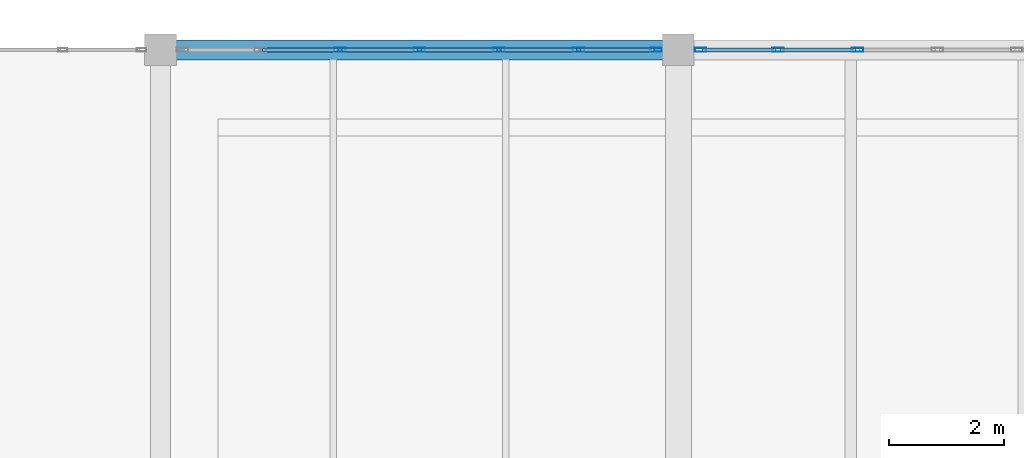
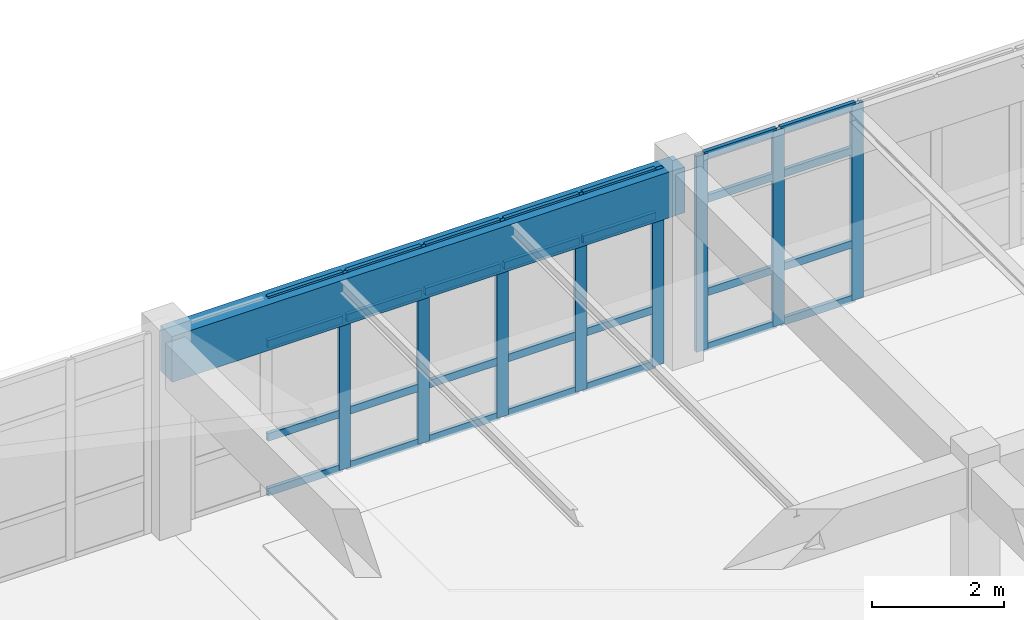
# One storey, part 103 of 156: 36 members, 1 beam, 2 elements without a shape of their own.
"""IFC4 building model written with IfcOpenShell, lengths in metres."""

from ifc_helpers import new_model, si_unit, direction, frame, origin, origin_2d, place, context, subcontext, project, spatial, rectangle, hollow_rectangle, extrude, material, layer, layer_set, material_profile, profile_set, type_object, element, aggregate, save


model = new_model("IFC4")

# Units and contexts
model_context = context("Model", 3, precision=1e-05, world=origin(), true_north=direction((0.0, 1.0)))
body_context = subcontext(model_context, "Body", "Model", "MODEL_VIEW")
ifc_project = project(units=[si_unit("LENGTHUNIT", "METRE"), si_unit("AREAUNIT", "SQUARE_METRE"), si_unit("VOLUMEUNIT", "CUBIC_METRE"), si_unit("PLANEANGLEUNIT", "RADIAN"), si_unit("MASSUNIT", "GRAM", prefix="KILO")], contexts=[model_context])

# Site, building, storey
site_placement = place(None, origin())
site = spatial("IfcSite", under=ifc_project, at=site_placement, CompositionType="ELEMENT")
building_placement = place(site_placement, origin())
building = spatial("IfcBuilding", under=site, at=building_placement, Name="Ornek Quay Market", CompositionType="ELEMENT")
storey_placement = place(building_placement, frame((0.0, 0.0, 4.5)))
storey = spatial("IfcBuildingStorey", under=building, at=storey_placement, Name="L01", CompositionType="ELEMENT", Elevation=4.5)

# Beam
ifc_material_1 = material(Name="Concrete C40/50", Category="concrete")
ifc_material_profile_1 = material_profile(ifc_material_1, rectangle(XDim=0.35009765625, YDim=0.85009765625, at=origin_2d()), Name="RC 350x850", Category="concrete")
ifc_profile_set_1 = profile_set([ifc_material_profile_1], Name="Concrete C40/50")
beam_type = type_object("IfcBeamType", Name="BM-SPN-350x850", PredefinedType="SPANDREL", material=ifc_profile_set_1)
beam_placement = place(storey_placement, frame((153.0, 110.0, 3.205078125), z_axis=(1.0, 0.0, 0.0), x_axis=(0.0, 1.0, 0.0)))
element("IfcBeam", 1, at=beam_placement, inside=storey, type_object=beam_type, Name="Primary beam B-SP1-104", PredefinedType="SPANDREL", context=body_context, shape_type="SweptSolid", body=[
    extrude(rectangle(XDim=0.35009765625, YDim=0.85009765625, at=origin_2d()), origin(), (0.0, 0.0, 1.0), 9.0),
])

# Curtain wall, members
ifc_material_2 = material(Name="Anodised bronze aluminium and triple low-e glass", Category="aluminium")
ifc_layer = layer(ifc_material_2, 0.18994140625, Name="Anodised bronze aluminium and triple low-e glass", Category="aluminium")
ifc_layer_set = layer_set([ifc_layer], Name="Anodised bronze aluminium and triple low-e glass")
curtain_wall_type = type_object("IfcCurtainWallType", Name="CW-FC-MOD1500", PredefinedType="USERDEFINED", material=ifc_layer_set)
curtain_wall_1_placement = place(storey_placement, origin())
curtain_wall_1 = element("IfcCurtainWall", 2, at=curtain_wall_1_placement, inside=storey, type_object=curtain_wall_type, Name="Curtain wall CW-083", ObjectType="CURTAIN WALL", PredefinedType="USERDEFINED")
ifc_material_3 = material(Name="Anodised aluminium 6063-T6", Category="aluminium")
ifc_material_profile_2 = material_profile(ifc_material_3, hollow_rectangle(XDim=0.070068359375, YDim=0.199951171875, WallThickness=0.0048828125, at=origin_2d()), Name="CW-MUL-70x200", Category="aluminium")
ifc_profile_set_2 = profile_set([ifc_material_profile_2], Name="Anodised aluminium 6063-T6")
member_type_1 = type_object("IfcMemberType", Name="CW-MUL-70x200", PredefinedType="MULLION", material=ifc_profile_set_2)
member_1_placement = place(storey_placement, frame((156.11669921875, 110.0, 0.0), z_axis=(0.0, 0.0, 1.0), x_axis=(0.0, 1.0, 0.0)))
member_1 = element("IfcMember", 3, at=member_1_placement, type_object=member_type_1, Name="CW-083 mullion 3", PredefinedType="MULLION", context=body_context, shape_type="SweptSolid", body=[
    extrude(hollow_rectangle(XDim=0.070068359375, YDim=0.199951171875, WallThickness=0.0048828125, at=origin_2d()), origin(), (0.0, 0.0, 1.0), 3.6298828125),
])
member_2_placement = place(storey_placement, frame((157.5, 110.0, 0.0), z_axis=(0.0, 0.0, 1.0), x_axis=(0.0, 1.0, 0.0)))
member_2 = element("IfcMember", 4, at=member_2_placement, type_object=member_type_1, Name="CW-083 mullion 4", PredefinedType="MULLION", context=body_context, shape_type="SweptSolid", body=[
    extrude(hollow_rectangle(XDim=0.070068359375, YDim=0.199951171875, WallThickness=0.0048828125, at=origin_2d()), origin(), (0.0, 0.0, 1.0), 3.6298828125),
])
member_3_placement = place(storey_placement, frame((158.88330078125, 110.0, 0.0), z_axis=(0.0, 0.0, 1.0), x_axis=(0.0, 1.0, 0.0)))
member_3 = element("IfcMember", 5, at=member_3_placement, type_object=member_type_1, Name="CW-083 mullion 5", PredefinedType="MULLION", context=body_context, shape_type="SweptSolid", body=[
    extrude(hollow_rectangle(XDim=0.070068359375, YDim=0.199951171875, WallThickness=0.0048828125, at=origin_2d()), origin(), (0.0, 0.0, 1.0), 3.6298828125),
])
member_4_placement = place(storey_placement, frame((160.2666015625, 110.0, 0.0), z_axis=(0.0, 0.0, 1.0), x_axis=(0.0, 1.0, 0.0)))
member_4 = element("IfcMember", 6, at=member_4_placement, type_object=member_type_1, Name="CW-083 mullion 6", PredefinedType="MULLION", context=body_context, shape_type="SweptSolid", body=[
    extrude(hollow_rectangle(XDim=0.070068359375, YDim=0.199951171875, WallThickness=0.0048828125, at=origin_2d()), origin(), (0.0, 0.0, 1.0), 3.6298828125),
])
member_5_placement = place(storey_placement, frame((161.614990234375, 110.0, 0.0), z_axis=(0.0, 0.0, 1.0), x_axis=(0.0, 1.0, 0.0)))
member_5 = element("IfcMember", 7, at=member_5_placement, type_object=member_type_1, Name="CW-083 mullion 7", PredefinedType="MULLION", context=body_context, shape_type="SweptSolid", body=[
    extrude(hollow_rectangle(XDim=0.070068359375, YDim=0.199951171875, WallThickness=0.0048828125, at=origin_2d()), origin(), (0.0, 0.0, 1.0), 3.6298828125),
])

curtain_wall_2_placement = place(storey_placement, origin())
curtain_wall_2 = element("IfcCurtainWall", 8, at=curtain_wall_2_placement, inside=storey, type_object=curtain_wall_type, Name="Curtain wall CW-084", ObjectType="CURTAIN WALL", PredefinedType="USERDEFINED")
member_6_placement = place(storey_placement, frame((162.385009765625, 110.0, 0.0), z_axis=(0.0, 0.0, 1.0), x_axis=(0.0, 1.0, 0.0)))
member_6 = element("IfcMember", 9, at=member_6_placement, type_object=member_type_1, Name="CW-084 mullion 1", PredefinedType="MULLION", context=body_context, shape_type="SweptSolid", body=[
    extrude(hollow_rectangle(XDim=0.070068359375, YDim=0.199951171875, WallThickness=0.0048828125, at=origin_2d()), origin(), (0.0, 0.0, 1.0), 3.6298828125),
])
member_7_placement = place(storey_placement, frame((163.7333984375, 110.0, 0.0), z_axis=(0.0, 0.0, 1.0), x_axis=(0.0, 1.0, 0.0)))
member_7 = element("IfcMember", 10, at=member_7_placement, type_object=member_type_1, Name="CW-084 mullion 2", PredefinedType="MULLION", context=body_context, shape_type="SweptSolid", body=[
    extrude(hollow_rectangle(XDim=0.070068359375, YDim=0.199951171875, WallThickness=0.0048828125, at=origin_2d()), origin(), (0.0, 0.0, 1.0), 3.6298828125),
])
member_8_placement = place(storey_placement, frame((165.11669921875, 110.0, 0.0), z_axis=(0.0, 0.0, 1.0), x_axis=(0.0, 1.0, 0.0)))
member_8 = element("IfcMember", 11, at=member_8_placement, type_object=member_type_1, Name="CW-084 mullion 3", PredefinedType="MULLION", context=body_context, shape_type="SweptSolid", body=[
    extrude(hollow_rectangle(XDim=0.070068359375, YDim=0.199951171875, WallThickness=0.0048828125, at=origin_2d()), origin(), (0.0, 0.0, 1.0), 3.6298828125),
])

# Member
ifc_material_profile_3 = material_profile(ifc_material_3, hollow_rectangle(XDim=0.06494140625, YDim=0.139892578125, WallThickness=0.00439453125, at=origin_2d()), Name="CW-TRN-65x140", Category="aluminium")
ifc_profile_set_3 = profile_set([ifc_material_profile_3], Name="Anodised aluminium 6063-T6")
member_type_2 = type_object("IfcMemberType", Name="CW-TRN-65x140", PredefinedType="USERDEFINED", material=ifc_profile_set_3)
member_9_placement = place(storey_placement, frame((154.768310546875, 110.0, 0.032470703125), z_axis=(1.0, 0.0, 0.0), x_axis=(0.0, 1.0, 0.0)))
member_9 = element("IfcMember", 12, at=member_9_placement, type_object=member_type_2, Name="CW-083 transom 2.1", ObjectType="TRANSOM", PredefinedType="USERDEFINED", context=body_context, shape_type="SweptSolid", body=[
    extrude(hollow_rectangle(XDim=0.06494140625, YDim=0.139892578125, WallThickness=0.00439453125, at=origin_2d()), origin(), (0.0, 0.0, 1.0), 1.3134765625),
])

member_10_placement = place(storey_placement, frame((154.768310546875, 110.0, 1.050048828125), z_axis=(1.0, 0.0, 0.0), x_axis=(0.0, 1.0, 0.0)))
member_10 = element("IfcMember", 13, at=member_10_placement, type_object=member_type_2, Name="CW-083 transom 2.2", ObjectType="TRANSOM", PredefinedType="USERDEFINED", context=body_context, shape_type="SweptSolid", body=[
    extrude(hollow_rectangle(XDim=0.06494140625, YDim=0.139892578125, WallThickness=0.00439453125, at=origin_2d()), origin(), (0.0, 0.0, 1.0), 1.3134765625),
])

member_11_placement = place(storey_placement, frame((154.768310546875, 110.0, 2.780029296875), z_axis=(1.0, 0.0, 0.0), x_axis=(0.0, 1.0, 0.0)))
member_11 = element("IfcMember", 14, at=member_11_placement, type_object=member_type_2, Name="CW-083 transom 2.3", ObjectType="TRANSOM", PredefinedType="USERDEFINED", context=body_context, shape_type="SweptSolid", body=[
    extrude(hollow_rectangle(XDim=0.06494140625, YDim=0.139892578125, WallThickness=0.00439453125, at=origin_2d()), origin(), (0.0, 0.0, 1.0), 1.3134765625),
])

member_12_placement = place(storey_placement, frame((154.768310546875, 110.0, 3.597412109375), z_axis=(1.0, 0.0, 0.0), x_axis=(0.0, 1.0, 0.0)))
member_12 = element("IfcMember", 15, at=member_12_placement, type_object=member_type_2, Name="CW-083 transom 2.4", ObjectType="TRANSOM", PredefinedType="USERDEFINED", context=body_context, shape_type="SweptSolid", body=[
    extrude(hollow_rectangle(XDim=0.06494140625, YDim=0.139892578125, WallThickness=0.00439453125, at=origin_2d()), origin(), (0.0, 0.0, 1.0), 1.3134765625),
])

member_13_placement = place(storey_placement, frame((156.151611328125, 110.0, 0.032470703125), z_axis=(1.0, 0.0, 0.0), x_axis=(0.0, 1.0, 0.0)))
member_13 = element("IfcMember", 16, at=member_13_placement, type_object=member_type_2, Name="CW-083 transom 3.1", ObjectType="TRANSOM", PredefinedType="USERDEFINED", context=body_context, shape_type="SweptSolid", body=[
    extrude(hollow_rectangle(XDim=0.06494140625, YDim=0.139892578125, WallThickness=0.00439453125, at=origin_2d()), origin(), (0.0, 0.0, 1.0), 1.3134765625),
])

member_14_placement = place(storey_placement, frame((156.151611328125, 110.0, 1.050048828125), z_axis=(1.0, 0.0, 0.0), x_axis=(0.0, 1.0, 0.0)))
member_14 = element("IfcMember", 17, at=member_14_placement, type_object=member_type_2, Name="CW-083 transom 3.2", ObjectType="TRANSOM", PredefinedType="USERDEFINED", context=body_context, shape_type="SweptSolid", body=[
    extrude(hollow_rectangle(XDim=0.06494140625, YDim=0.139892578125, WallThickness=0.00439453125, at=origin_2d()), origin(), (0.0, 0.0, 1.0), 1.3134765625),
])

member_15_placement = place(storey_placement, frame((156.151611328125, 110.0, 2.780029296875), z_axis=(1.0, 0.0, 0.0), x_axis=(0.0, 1.0, 0.0)))
member_15 = element("IfcMember", 18, at=member_15_placement, type_object=member_type_2, Name="CW-083 transom 3.3", ObjectType="TRANSOM", PredefinedType="USERDEFINED", context=body_context, shape_type="SweptSolid", body=[
    extrude(hollow_rectangle(XDim=0.06494140625, YDim=0.139892578125, WallThickness=0.00439453125, at=origin_2d()), origin(), (0.0, 0.0, 1.0), 1.3134765625),
])

member_16_placement = place(storey_placement, frame((156.151611328125, 110.0, 3.597412109375), z_axis=(1.0, 0.0, 0.0), x_axis=(0.0, 1.0, 0.0)))
member_16 = element("IfcMember", 19, at=member_16_placement, type_object=member_type_2, Name="CW-083 transom 3.4", ObjectType="TRANSOM", PredefinedType="USERDEFINED", context=body_context, shape_type="SweptSolid", body=[
    extrude(hollow_rectangle(XDim=0.06494140625, YDim=0.139892578125, WallThickness=0.00439453125, at=origin_2d()), origin(), (0.0, 0.0, 1.0), 1.3134765625),
])

member_17_placement = place(storey_placement, frame((157.534912109375, 110.0, 0.032470703125), z_axis=(1.0, 0.0, 0.0), x_axis=(0.0, 1.0, 0.0)))
member_17 = element("IfcMember", 20, at=member_17_placement, type_object=member_type_2, Name="CW-083 transom 4.1", ObjectType="TRANSOM", PredefinedType="USERDEFINED", context=body_context, shape_type="SweptSolid", body=[
    extrude(hollow_rectangle(XDim=0.06494140625, YDim=0.139892578125, WallThickness=0.00439453125, at=origin_2d()), origin(), (0.0, 0.0, 1.0), 1.3134765625),
])

member_18_placement = place(storey_placement, frame((157.534912109375, 110.0, 1.050048828125), z_axis=(1.0, 0.0, 0.0), x_axis=(0.0, 1.0, 0.0)))
member_18 = element("IfcMember", 21, at=member_18_placement, type_object=member_type_2, Name="CW-083 transom 4.2", ObjectType="TRANSOM", PredefinedType="USERDEFINED", context=body_context, shape_type="SweptSolid", body=[
    extrude(hollow_rectangle(XDim=0.06494140625, YDim=0.139892578125, WallThickness=0.00439453125, at=origin_2d()), origin(), (0.0, 0.0, 1.0), 1.3134765625),
])

member_19_placement = place(storey_placement, frame((157.534912109375, 110.0, 2.780029296875), z_axis=(1.0, 0.0, 0.0), x_axis=(0.0, 1.0, 0.0)))
member_19 = element("IfcMember", 22, at=member_19_placement, type_object=member_type_2, Name="CW-083 transom 4.3", ObjectType="TRANSOM", PredefinedType="USERDEFINED", context=body_context, shape_type="SweptSolid", body=[
    extrude(hollow_rectangle(XDim=0.06494140625, YDim=0.139892578125, WallThickness=0.00439453125, at=origin_2d()), origin(), (0.0, 0.0, 1.0), 1.3134765625),
])

member_20_placement = place(storey_placement, frame((157.534912109375, 110.0, 3.597412109375), z_axis=(1.0, 0.0, 0.0), x_axis=(0.0, 1.0, 0.0)))
member_20 = element("IfcMember", 23, at=member_20_placement, type_object=member_type_2, Name="CW-083 transom 4.4", ObjectType="TRANSOM", PredefinedType="USERDEFINED", context=body_context, shape_type="SweptSolid", body=[
    extrude(hollow_rectangle(XDim=0.06494140625, YDim=0.139892578125, WallThickness=0.00439453125, at=origin_2d()), origin(), (0.0, 0.0, 1.0), 1.3134765625),
])

member_21_placement = place(storey_placement, frame((158.918212890625, 110.0, 0.032470703125), z_axis=(1.0, 0.0, 0.0), x_axis=(0.0, 1.0, 0.0)))
member_21 = element("IfcMember", 24, at=member_21_placement, type_object=member_type_2, Name="CW-083 transom 5.1", ObjectType="TRANSOM", PredefinedType="USERDEFINED", context=body_context, shape_type="SweptSolid", body=[
    extrude(hollow_rectangle(XDim=0.06494140625, YDim=0.139892578125, WallThickness=0.00439453125, at=origin_2d()), origin(), (0.0, 0.0, 1.0), 1.3134765625),
])

member_22_placement = place(storey_placement, frame((158.918212890625, 110.0, 1.050048828125), z_axis=(1.0, 0.0, 0.0), x_axis=(0.0, 1.0, 0.0)))
member_22 = element("IfcMember", 25, at=member_22_placement, type_object=member_type_2, Name="CW-083 transom 5.2", ObjectType="TRANSOM", PredefinedType="USERDEFINED", context=body_context, shape_type="SweptSolid", body=[
    extrude(hollow_rectangle(XDim=0.06494140625, YDim=0.139892578125, WallThickness=0.00439453125, at=origin_2d()), origin(), (0.0, 0.0, 1.0), 1.3134765625),
])

member_23_placement = place(storey_placement, frame((158.918212890625, 110.0, 2.780029296875), z_axis=(1.0, 0.0, 0.0), x_axis=(0.0, 1.0, 0.0)))
member_23 = element("IfcMember", 26, at=member_23_placement, type_object=member_type_2, Name="CW-083 transom 5.3", ObjectType="TRANSOM", PredefinedType="USERDEFINED", context=body_context, shape_type="SweptSolid", body=[
    extrude(hollow_rectangle(XDim=0.06494140625, YDim=0.139892578125, WallThickness=0.00439453125, at=origin_2d()), origin(), (0.0, 0.0, 1.0), 1.3134765625),
])

member_24_placement = place(storey_placement, frame((158.918212890625, 110.0, 3.597412109375), z_axis=(1.0, 0.0, 0.0), x_axis=(0.0, 1.0, 0.0)))
member_24 = element("IfcMember", 27, at=member_24_placement, type_object=member_type_2, Name="CW-083 transom 5.4", ObjectType="TRANSOM", PredefinedType="USERDEFINED", context=body_context, shape_type="SweptSolid", body=[
    extrude(hollow_rectangle(XDim=0.06494140625, YDim=0.139892578125, WallThickness=0.00439453125, at=origin_2d()), origin(), (0.0, 0.0, 1.0), 1.3134765625),
])

member_25_placement = place(storey_placement, frame((160.3017578125, 110.0, 0.032470703125), z_axis=(1.0, 0.0, 0.0), x_axis=(0.0, 1.0, 0.0)))
member_25 = element("IfcMember", 28, at=member_25_placement, type_object=member_type_2, Name="CW-083 transom 6.1", ObjectType="TRANSOM", PredefinedType="USERDEFINED", context=body_context, shape_type="SweptSolid", body=[
    extrude(hollow_rectangle(XDim=0.06494140625, YDim=0.139892578125, WallThickness=0.00439453125, at=origin_2d()), origin(), (0.0, 0.0, 1.0), 1.2783203125),
])

member_26_placement = place(storey_placement, frame((160.3017578125, 110.0, 1.050048828125), z_axis=(1.0, 0.0, 0.0), x_axis=(0.0, 1.0, 0.0)))
member_26 = element("IfcMember", 29, at=member_26_placement, type_object=member_type_2, Name="CW-083 transom 6.2", ObjectType="TRANSOM", PredefinedType="USERDEFINED", context=body_context, shape_type="SweptSolid", body=[
    extrude(hollow_rectangle(XDim=0.06494140625, YDim=0.139892578125, WallThickness=0.00439453125, at=origin_2d()), origin(), (0.0, 0.0, 1.0), 1.2783203125),
])

member_27_placement = place(storey_placement, frame((160.3017578125, 110.0, 2.780029296875), z_axis=(1.0, 0.0, 0.0), x_axis=(0.0, 1.0, 0.0)))
member_27 = element("IfcMember", 30, at=member_27_placement, type_object=member_type_2, Name="CW-083 transom 6.3", ObjectType="TRANSOM", PredefinedType="USERDEFINED", context=body_context, shape_type="SweptSolid", body=[
    extrude(hollow_rectangle(XDim=0.06494140625, YDim=0.139892578125, WallThickness=0.00439453125, at=origin_2d()), origin(), (0.0, 0.0, 1.0), 1.2783203125),
])

member_28_placement = place(storey_placement, frame((160.3017578125, 110.0, 3.597412109375), z_axis=(1.0, 0.0, 0.0), x_axis=(0.0, 1.0, 0.0)))
member_28 = element("IfcMember", 31, at=member_28_placement, type_object=member_type_2, Name="CW-083 transom 6.4", ObjectType="TRANSOM", PredefinedType="USERDEFINED", context=body_context, shape_type="SweptSolid", body=[
    extrude(hollow_rectangle(XDim=0.06494140625, YDim=0.139892578125, WallThickness=0.00439453125, at=origin_2d()), origin(), (0.0, 0.0, 1.0), 1.2783203125),
])

aggregate(curtain_wall_1, [member_1, member_2, member_3, member_4, member_5, member_9, member_10, member_11, member_12, member_13, member_14, member_15, member_16, member_17, member_18, member_19, member_20, member_21, member_22, member_23, member_24, member_25, member_26, member_27, member_28])

member_29_placement = place(storey_placement, frame((162.419921875, 110.0, 0.032470703125), z_axis=(1.0, 0.0, 0.0), x_axis=(0.0, 1.0, 0.0)))
member_29 = element("IfcMember", 32, at=member_29_placement, type_object=member_type_2, Name="CW-084 transom 1.1", ObjectType="TRANSOM", PredefinedType="USERDEFINED", context=body_context, shape_type="SweptSolid", body=[
    extrude(hollow_rectangle(XDim=0.06494140625, YDim=0.139892578125, WallThickness=0.00439453125, at=origin_2d()), origin(), (0.0, 0.0, 1.0), 1.2783203125),
])

member_30_placement = place(storey_placement, frame((162.419921875, 110.0, 1.050048828125), z_axis=(1.0, 0.0, 0.0), x_axis=(0.0, 1.0, 0.0)))
member_30 = element("IfcMember", 33, at=member_30_placement, type_object=member_type_2, Name="CW-084 transom 1.2", ObjectType="TRANSOM", PredefinedType="USERDEFINED", context=body_context, shape_type="SweptSolid", body=[
    extrude(hollow_rectangle(XDim=0.06494140625, YDim=0.139892578125, WallThickness=0.00439453125, at=origin_2d()), origin(), (0.0, 0.0, 1.0), 1.2783203125),
])

member_31_placement = place(storey_placement, frame((162.419921875, 110.0, 2.780029296875), z_axis=(1.0, 0.0, 0.0), x_axis=(0.0, 1.0, 0.0)))
member_31 = element("IfcMember", 34, at=member_31_placement, type_object=member_type_2, Name="CW-084 transom 1.3", ObjectType="TRANSOM", PredefinedType="USERDEFINED", context=body_context, shape_type="SweptSolid", body=[
    extrude(hollow_rectangle(XDim=0.06494140625, YDim=0.139892578125, WallThickness=0.00439453125, at=origin_2d()), origin(), (0.0, 0.0, 1.0), 1.2783203125),
])

member_32_placement = place(storey_placement, frame((162.419921875, 110.0, 3.597412109375), z_axis=(1.0, 0.0, 0.0), x_axis=(0.0, 1.0, 0.0)))
member_32 = element("IfcMember", 35, at=member_32_placement, type_object=member_type_2, Name="CW-084 transom 1.4", ObjectType="TRANSOM", PredefinedType="USERDEFINED", context=body_context, shape_type="SweptSolid", body=[
    extrude(hollow_rectangle(XDim=0.06494140625, YDim=0.139892578125, WallThickness=0.00439453125, at=origin_2d()), origin(), (0.0, 0.0, 1.0), 1.2783203125),
])

member_33_placement = place(storey_placement, frame((163.768310546875, 110.0, 0.032470703125), z_axis=(1.0, 0.0, 0.0), x_axis=(0.0, 1.0, 0.0)))
member_33 = element("IfcMember", 36, at=member_33_placement, type_object=member_type_2, Name="CW-084 transom 2.1", ObjectType="TRANSOM", PredefinedType="USERDEFINED", context=body_context, shape_type="SweptSolid", body=[
    extrude(hollow_rectangle(XDim=0.06494140625, YDim=0.139892578125, WallThickness=0.00439453125, at=origin_2d()), origin(), (0.0, 0.0, 1.0), 1.3134765625),
])

member_34_placement = place(storey_placement, frame((163.768310546875, 110.0, 1.050048828125), z_axis=(1.0, 0.0, 0.0), x_axis=(0.0, 1.0, 0.0)))
member_34 = element("IfcMember", 37, at=member_34_placement, type_object=member_type_2, Name="CW-084 transom 2.2", ObjectType="TRANSOM", PredefinedType="USERDEFINED", context=body_context, shape_type="SweptSolid", body=[
    extrude(hollow_rectangle(XDim=0.06494140625, YDim=0.139892578125, WallThickness=0.00439453125, at=origin_2d()), origin(), (0.0, 0.0, 1.0), 1.3134765625),
])

member_35_placement = place(storey_placement, frame((163.768310546875, 110.0, 2.780029296875), z_axis=(1.0, 0.0, 0.0), x_axis=(0.0, 1.0, 0.0)))
member_35 = element("IfcMember", 38, at=member_35_placement, type_object=member_type_2, Name="CW-084 transom 2.3", ObjectType="TRANSOM", PredefinedType="USERDEFINED", context=body_context, shape_type="SweptSolid", body=[
    extrude(hollow_rectangle(XDim=0.06494140625, YDim=0.139892578125, WallThickness=0.00439453125, at=origin_2d()), origin(), (0.0, 0.0, 1.0), 1.3134765625),
])

member_36_placement = place(storey_placement, frame((163.768310546875, 110.0, 3.597412109375), z_axis=(1.0, 0.0, 0.0), x_axis=(0.0, 1.0, 0.0)))
member_36 = element("IfcMember", 39, at=member_36_placement, type_object=member_type_2, Name="CW-084 transom 2.4", ObjectType="TRANSOM", PredefinedType="USERDEFINED", context=body_context, shape_type="SweptSolid", body=[
    extrude(hollow_rectangle(XDim=0.06494140625, YDim=0.139892578125, WallThickness=0.00439453125, at=origin_2d()), origin(), (0.0, 0.0, 1.0), 1.3134765625),
])

aggregate(curtain_wall_2, [member_6, member_7, member_8, member_29, member_30, member_31, member_32, member_33, member_34, member_35, member_36])

save(model, "model.ifc")
